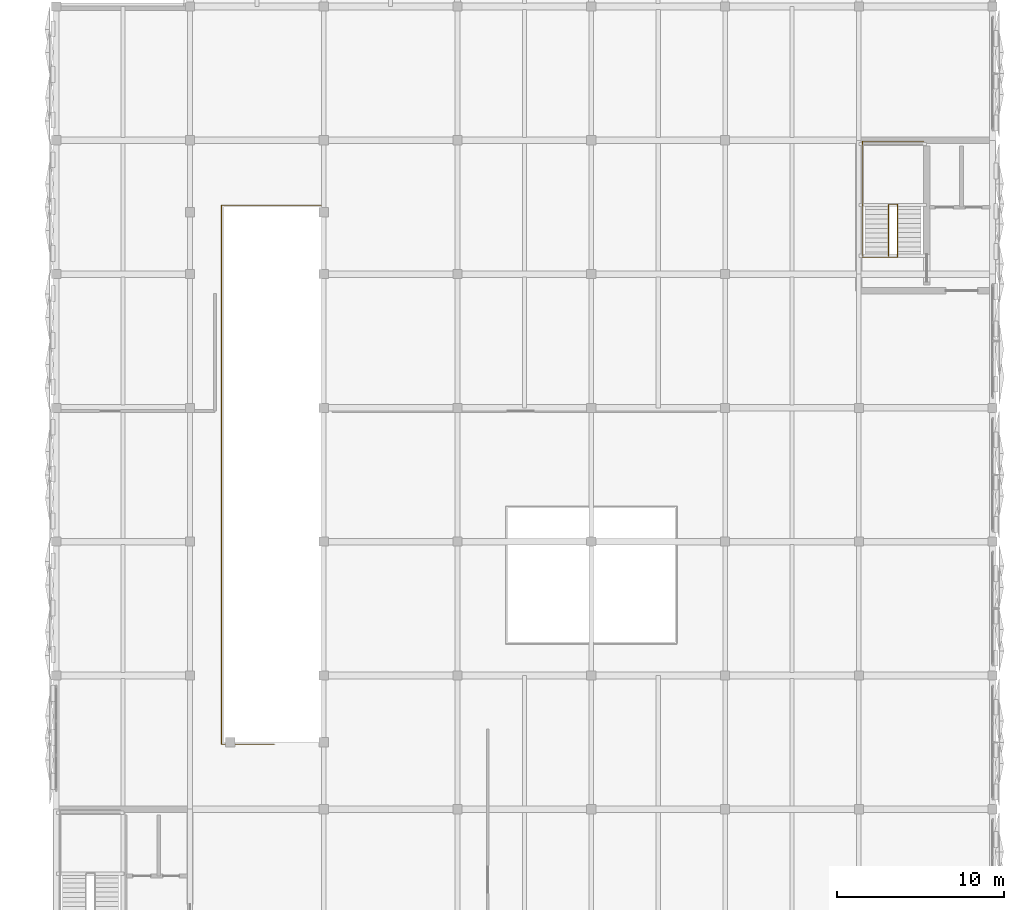
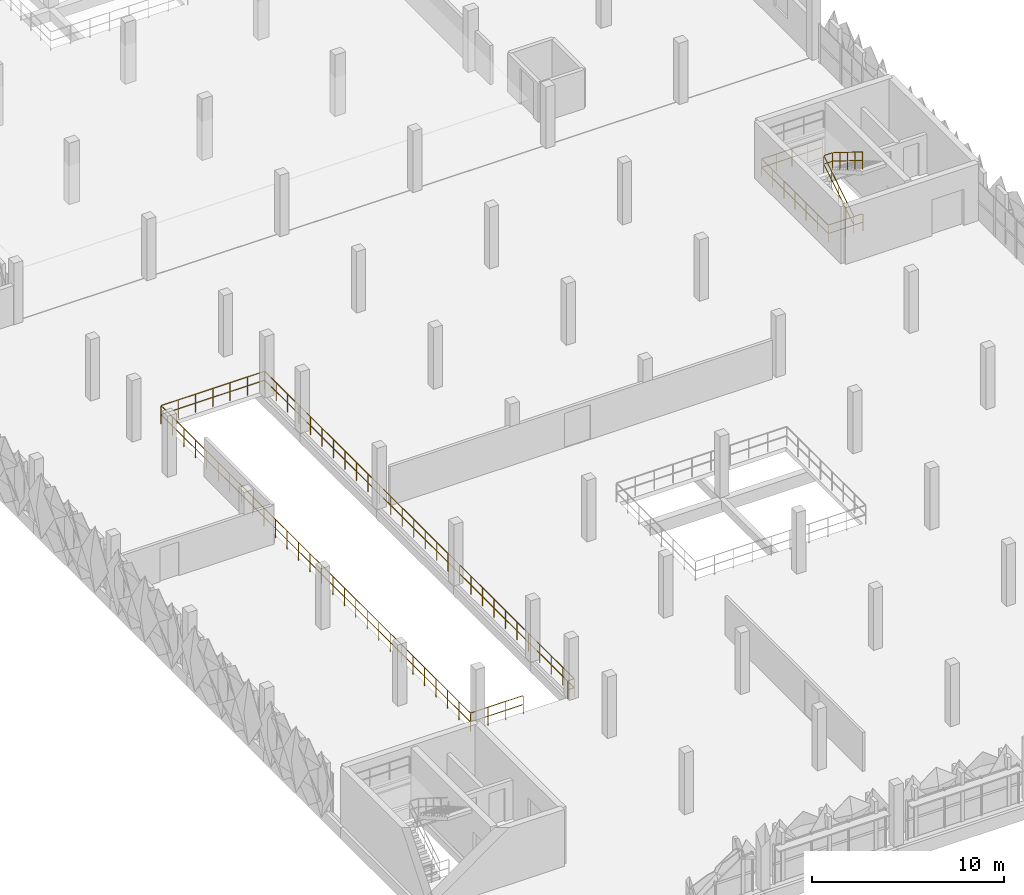
# One storey, part 78 of 83: 3 railings.
"""IFC4 building model written with IfcOpenShell, lengths in metres."""

from ifc_helpers import new_model, si_unit, derived_unit, direction, frame, origin, origin_2d, place, context, subcontext, project, spatial, circle, extrude, material, type_object, element, save


model = new_model("IFC4")

# Units and contexts
model_context = context("Model", 3, precision=1e-05, world=origin(), true_north=direction((0.0, 1.0)))
body_context = subcontext(model_context, "Body", "Model", "MODEL_VIEW")
ifc_project = project(units=[si_unit("LENGTHUNIT", "METRE"), si_unit("AREAUNIT", "SQUARE_METRE"), si_unit("VOLUMEUNIT", "CUBIC_METRE"), si_unit("PLANEANGLEUNIT", "RADIAN"), si_unit("MASSUNIT", "GRAM", prefix="KILO"), si_unit("THERMODYNAMICTEMPERATUREUNIT", "KELVIN"), derived_unit("THERMALTRANSMITTANCEUNIT", [(si_unit("POWERUNIT", "WATT"), 1), (si_unit("AREAUNIT", "SQUARE_METRE"), -1), (si_unit("THERMODYNAMICTEMPERATUREUNIT", "KELVIN"), -1)])], contexts=[model_context])

# Site, building, storey
site_placement = place(None, origin())
site = spatial("IfcSite", under=ifc_project, at=site_placement, CompositionType="ELEMENT")
building_placement = place(site_placement, origin())
building = spatial("IfcBuilding", under=site, at=building_placement, Name="Haiyu Intermodal Mobility Hub", CompositionType="ELEMENT")
storey_placement = place(building_placement, frame((0.0, 0.0, 13.39990234375)))
storey = spatial("IfcBuildingStorey", under=building, at=storey_placement, Name="L03", CompositionType="ELEMENT", Elevation=13.39990234375)

# Railings
ifc_material = material(Name="Steel Q355C", Category="steel")
railing_type = type_object("IfcRailingType", Name="RAL-GR03", PredefinedType="GUARDRAIL", material=ifc_material)
railing_1_placement = place(storey_placement, frame((167.06005859375, 35.8798828125, 0.0)))
element("IfcRailing", 1, at=railing_1_placement, inside=storey, type_object=railing_type, Name="RAL-BRMP-L03", PredefinedType="GUARDRAIL", context=body_context, shape_type="SweptSolid", body=[
    extrude(circle(Radius=0.02392578125, at=origin_2d()), frame((-0.030029296875, 0.0, 1.15576171875), z_axis=(-1.0, 0.0, 0.0), x_axis=(0.0, -1.0, 0.0)), (0.0, 0.0, 1.0), 3.1201171875),
    extrude(circle(Radius=0.02392578125, at=origin_2d()), frame((-0.037353515625, 0.0, 0.58984375), z_axis=(-1.0, 0.0, 0.0), x_axis=(0.0, -1.0, 0.0)), (0.0, 0.0, 1.0), 0.9853515625),
    extrude(circle(Radius=0.02392578125, at=origin_2d()), frame((-1.097412109375, 0.0, 0.58984375), z_axis=(-1.0, 0.0, 0.0), x_axis=(0.0, -1.0, 0.0)), (0.0, 0.0, 1.0), 0.9853515625),
    extrude(circle(Radius=0.02392578125, at=origin_2d()), frame((-2.157470703125, 0.0, 0.58984375), z_axis=(-1.0, 0.0, 0.0), x_axis=(0.0, -1.0, 0.0)), (0.0, 0.0, 1.0), 0.9853515625),
    extrude(circle(Radius=0.02392578125, at=origin_2d()), frame((-3.18017578125, 0.030029296875, 1.15576171875), z_axis=(0.0, 1.0, 0.0), x_axis=(-1.0, 0.0, 0.0)), (0.0, 0.0, 1.0), 32.18017578125),
    extrude(circle(Radius=0.02392578125, at=origin_2d()), frame((-3.18017578125, 0.037353515625, 0.58984375), z_axis=(0.0, 1.0, 0.0), x_axis=(-1.0, 0.0, 0.0)), (0.0, 0.0, 1.0), 1.119384765625),
    extrude(circle(Radius=0.02392578125, at=origin_2d()), frame((-3.18017578125, 1.2314453125, 0.58984375), z_axis=(0.0, 1.0, 0.0), x_axis=(-1.0, 0.0, 0.0)), (0.0, 0.0, 1.0), 1.119384765625),
    extrude(circle(Radius=0.02392578125, at=origin_2d()), frame((-3.18017578125, 2.425537109375, 0.58984375), z_axis=(0.0, 1.0, 0.0), x_axis=(-1.0, 0.0, 0.0)), (0.0, 0.0, 1.0), 1.119384765625),
    extrude(circle(Radius=0.02392578125, at=origin_2d()), frame((-3.18017578125, 3.61962890625, 0.58984375), z_axis=(0.0, 1.0, 0.0), x_axis=(-1.0, 0.0, 0.0)), (0.0, 0.0, 1.0), 1.119384765625),
    extrude(circle(Radius=0.02392578125, at=origin_2d()), frame((-3.18017578125, 4.813720703125, 0.58984375), z_axis=(0.0, 1.0, 0.0), x_axis=(-1.0, 0.0, 0.0)), (0.0, 0.0, 1.0), 1.119384765625),
    extrude(circle(Radius=0.02392578125, at=origin_2d()), frame((-3.18017578125, 6.0078125, 0.58984375), z_axis=(0.0, 1.0, 0.0), x_axis=(-1.0, 0.0, 0.0)), (0.0, 0.0, 1.0), 1.119384765625),
    extrude(circle(Radius=0.02392578125, at=origin_2d()), frame((-3.18017578125, 7.201904296875, 0.58984375), z_axis=(0.0, 1.0, 0.0), x_axis=(-1.0, 0.0, 0.0)), (0.0, 0.0, 1.0), 1.119384765625),
    extrude(circle(Radius=0.02392578125, at=origin_2d()), frame((-3.18017578125, 8.39599609375, 0.58984375), z_axis=(0.0, 1.0, 0.0), x_axis=(-1.0, 0.0, 0.0)), (0.0, 0.0, 1.0), 1.119384765625),
    extrude(circle(Radius=0.02392578125, at=origin_2d()), frame((-3.18017578125, 9.58984375, 0.58984375), z_axis=(0.0, 1.0, 0.0), x_axis=(-1.0, 0.0, 0.0)), (0.0, 0.0, 1.0), 1.119384765625),
    extrude(circle(Radius=0.02392578125, at=origin_2d()), frame((-3.18017578125, 10.783935546875, 0.58984375), z_axis=(0.0, 1.0, 0.0), x_axis=(-1.0, 0.0, 0.0)), (0.0, 0.0, 1.0), 1.119384765625),
    extrude(circle(Radius=0.02392578125, at=origin_2d()), frame((-3.18017578125, 11.97802734375, 0.58984375), z_axis=(0.0, 1.0, 0.0), x_axis=(-1.0, 0.0, 0.0)), (0.0, 0.0, 1.0), 1.119384765625),
    extrude(circle(Radius=0.02392578125, at=origin_2d()), frame((-3.18017578125, 13.172119140625, 0.58984375), z_axis=(0.0, 1.0, 0.0), x_axis=(-1.0, 0.0, 0.0)), (0.0, 0.0, 1.0), 1.119384765625),
    extrude(circle(Radius=0.02392578125, at=origin_2d()), frame((-3.18017578125, 14.3662109375, 0.58984375), z_axis=(0.0, 1.0, 0.0), x_axis=(-1.0, 0.0, 0.0)), (0.0, 0.0, 1.0), 1.119384765625),
    extrude(circle(Radius=0.02392578125, at=origin_2d()), frame((-3.18017578125, 15.560302734375, 0.58984375), z_axis=(0.0, 1.0, 0.0), x_axis=(-1.0, 0.0, 0.0)), (0.0, 0.0, 1.0), 1.119384765625),
    extrude(circle(Radius=0.02392578125, at=origin_2d()), frame((-3.18017578125, 16.75439453125, 0.58984375), z_axis=(0.0, 1.0, 0.0), x_axis=(-1.0, 0.0, 0.0)), (0.0, 0.0, 1.0), 1.119384765625),
    extrude(circle(Radius=0.02392578125, at=origin_2d()), frame((-3.18017578125, 17.948486328125, 0.58984375), z_axis=(0.0, 1.0, 0.0), x_axis=(-1.0, 0.0, 0.0)), (0.0, 0.0, 1.0), 1.119384765625),
    extrude(circle(Radius=0.02392578125, at=origin_2d()), frame((-3.18017578125, 19.142578125, 0.58984375), z_axis=(0.0, 1.0, 0.0), x_axis=(-1.0, 0.0, 0.0)), (0.0, 0.0, 1.0), 1.119384765625),
    extrude(circle(Radius=0.02392578125, at=origin_2d()), frame((-3.18017578125, 20.336669921875, 0.58984375), z_axis=(0.0, 1.0, 0.0), x_axis=(-1.0, 0.0, 0.0)), (0.0, 0.0, 1.0), 1.119384765625),
    extrude(circle(Radius=0.02392578125, at=origin_2d()), frame((-3.18017578125, 21.53076171875, 0.58984375), z_axis=(0.0, 1.0, 0.0), x_axis=(-1.0, 0.0, 0.0)), (0.0, 0.0, 1.0), 1.119384765625),
    extrude(circle(Radius=0.02392578125, at=origin_2d()), frame((-3.18017578125, 22.724853515625, 0.58984375), z_axis=(0.0, 1.0, 0.0), x_axis=(-1.0, 0.0, 0.0)), (0.0, 0.0, 1.0), 1.119384765625),
    extrude(circle(Radius=0.02392578125, at=origin_2d()), frame((-3.18017578125, 23.9189453125, 0.58984375), z_axis=(0.0, 1.0, 0.0), x_axis=(-1.0, 0.0, 0.0)), (0.0, 0.0, 1.0), 1.119384765625),
    extrude(circle(Radius=0.02392578125, at=origin_2d()), frame((-3.18017578125, 25.113037109375, 0.58984375), z_axis=(0.0, 1.0, 0.0), x_axis=(-1.0, 0.0, 0.0)), (0.0, 0.0, 1.0), 1.119384765625),
    extrude(circle(Radius=0.02392578125, at=origin_2d()), frame((-3.18017578125, 26.30712890625, 0.58984375), z_axis=(0.0, 1.0, 0.0), x_axis=(-1.0, 0.0, 0.0)), (0.0, 0.0, 1.0), 1.119384765625),
    extrude(circle(Radius=0.02392578125, at=origin_2d()), frame((-3.18017578125, 27.501220703125, 0.58984375), z_axis=(0.0, 1.0, 0.0), x_axis=(-1.0, 0.0, 0.0)), (0.0, 0.0, 1.0), 1.119384765625),
    extrude(circle(Radius=0.02392578125, at=origin_2d()), frame((-3.18017578125, 28.6953125, 0.58984375), z_axis=(0.0, 1.0, 0.0), x_axis=(-1.0, 0.0, 0.0)), (0.0, 0.0, 1.0), 1.119384765625),
    extrude(circle(Radius=0.02392578125, at=origin_2d()), frame((-3.18017578125, 29.889404296875, 0.58984375), z_axis=(0.0, 1.0, 0.0), x_axis=(-1.0, 0.0, 0.0)), (0.0, 0.0, 1.0), 1.119384765625),
    extrude(circle(Radius=0.02392578125, at=origin_2d()), frame((-3.18017578125, 31.08349609375, 0.58984375), z_axis=(0.0, 1.0, 0.0), x_axis=(-1.0, 0.0, 0.0)), (0.0, 0.0, 1.0), 1.119384765625),
    extrude(circle(Radius=0.02392578125, at=origin_2d()), frame((-3.150146484375, 32.240234375, 1.15576171875), z_axis=(1.0, 0.0, 0.0), x_axis=(0.0, 1.0, 0.0)), (0.0, 0.0, 1.0), 6.18017578125),
    extrude(circle(Radius=0.02392578125, at=origin_2d()), frame((-3.142822265625, 32.240234375, 0.58984375), z_axis=(1.0, 0.0, 0.0), x_axis=(0.0, 1.0, 0.0)), (0.0, 0.0, 1.0), 0.96533203125),
    extrude(circle(Radius=0.02392578125, at=origin_2d()), frame((-2.102783203125, 32.240234375, 0.58984375), z_axis=(1.0, 0.0, 0.0), x_axis=(0.0, 1.0, 0.0)), (0.0, 0.0, 1.0), 0.96533203125),
    extrude(circle(Radius=0.02392578125, at=origin_2d()), frame((-1.062744140625, 32.240234375, 0.58984375), z_axis=(1.0, 0.0, 0.0), x_axis=(0.0, 1.0, 0.0)), (0.0, 0.0, 1.0), 0.96533203125),
    extrude(circle(Radius=0.02392578125, at=origin_2d()), frame((-0.022705078125, 32.240234375, 0.58984375), z_axis=(1.0, 0.0, 0.0), x_axis=(0.0, 1.0, 0.0)), (0.0, 0.0, 1.0), 0.96533203125),
    extrude(circle(Radius=0.02392578125, at=origin_2d()), frame((1.017333984375, 32.240234375, 0.58984375), z_axis=(1.0, 0.0, 0.0), x_axis=(0.0, 1.0, 0.0)), (0.0, 0.0, 1.0), 0.96533203125),
    extrude(circle(Radius=0.02392578125, at=origin_2d()), frame((2.057373046875, 32.240234375, 0.58984375), z_axis=(1.0, 0.0, 0.0), x_axis=(0.0, 1.0, 0.0)), (0.0, 0.0, 1.0), 0.96533203125),
    extrude(circle(Radius=0.02392578125, at=origin_2d()), frame((3.06005859375, 32.210205078125, 1.15576171875), z_axis=(0.0, -1.0, 0.0), x_axis=(1.0, 0.0, 0.0)), (0.0, 0.0, 1.0), 32.18017578125),
    extrude(circle(Radius=0.02392578125, at=origin_2d()), frame((3.06005859375, 32.202880859375, 0.58984375), z_axis=(0.0, -1.0, 0.0), x_axis=(1.0, 0.0, 0.0)), (0.0, 0.0, 1.0), 1.119384765625),
    extrude(circle(Radius=0.02392578125, at=origin_2d()), frame((3.06005859375, 31.0087890625, 0.58984375), z_axis=(0.0, -1.0, 0.0), x_axis=(1.0, 0.0, 0.0)), (0.0, 0.0, 1.0), 1.119384765625),
    extrude(circle(Radius=0.02392578125, at=origin_2d()), frame((3.06005859375, 29.814697265625, 0.58984375), z_axis=(0.0, -1.0, 0.0), x_axis=(1.0, 0.0, 0.0)), (0.0, 0.0, 1.0), 1.119384765625),
    extrude(circle(Radius=0.02392578125, at=origin_2d()), frame((3.06005859375, 28.62060546875, 0.58984375), z_axis=(0.0, -1.0, 0.0), x_axis=(1.0, 0.0, 0.0)), (0.0, 0.0, 1.0), 1.119384765625),
    extrude(circle(Radius=0.02392578125, at=origin_2d()), frame((3.06005859375, 27.426513671875, 0.58984375), z_axis=(0.0, -1.0, 0.0), x_axis=(1.0, 0.0, 0.0)), (0.0, 0.0, 1.0), 1.119384765625),
    extrude(circle(Radius=0.02392578125, at=origin_2d()), frame((3.06005859375, 26.232421875, 0.58984375), z_axis=(0.0, -1.0, 0.0), x_axis=(1.0, 0.0, 0.0)), (0.0, 0.0, 1.0), 1.119384765625),
    extrude(circle(Radius=0.02392578125, at=origin_2d()), frame((3.06005859375, 25.038330078125, 0.58984375), z_axis=(0.0, -1.0, 0.0), x_axis=(1.0, 0.0, 0.0)), (0.0, 0.0, 1.0), 1.119384765625),
    extrude(circle(Radius=0.02392578125, at=origin_2d()), frame((3.06005859375, 23.84423828125, 0.58984375), z_axis=(0.0, -1.0, 0.0), x_axis=(1.0, 0.0, 0.0)), (0.0, 0.0, 1.0), 1.119384765625),
    extrude(circle(Radius=0.02392578125, at=origin_2d()), frame((3.06005859375, 22.650390625, 0.58984375), z_axis=(0.0, -1.0, 0.0), x_axis=(1.0, 0.0, 0.0)), (0.0, 0.0, 1.0), 1.119384765625),
    extrude(circle(Radius=0.02392578125, at=origin_2d()), frame((3.06005859375, 21.456298828125, 0.58984375), z_axis=(0.0, -1.0, 0.0), x_axis=(1.0, 0.0, 0.0)), (0.0, 0.0, 1.0), 1.119384765625),
    extrude(circle(Radius=0.02392578125, at=origin_2d()), frame((3.06005859375, 20.26220703125, 0.58984375), z_axis=(0.0, -1.0, 0.0), x_axis=(1.0, 0.0, 0.0)), (0.0, 0.0, 1.0), 1.119384765625),
    extrude(circle(Radius=0.02392578125, at=origin_2d()), frame((3.06005859375, 19.068115234375, 0.58984375), z_axis=(0.0, -1.0, 0.0), x_axis=(1.0, 0.0, 0.0)), (0.0, 0.0, 1.0), 1.119384765625),
    extrude(circle(Radius=0.02392578125, at=origin_2d()), frame((3.06005859375, 17.8740234375, 0.58984375), z_axis=(0.0, -1.0, 0.0), x_axis=(1.0, 0.0, 0.0)), (0.0, 0.0, 1.0), 1.119384765625),
    extrude(circle(Radius=0.02392578125, at=origin_2d()), frame((3.06005859375, 16.679931640625, 0.58984375), z_axis=(0.0, -1.0, 0.0), x_axis=(1.0, 0.0, 0.0)), (0.0, 0.0, 1.0), 1.119384765625),
    extrude(circle(Radius=0.02392578125, at=origin_2d()), frame((3.06005859375, 15.48583984375, 0.58984375), z_axis=(0.0, -1.0, 0.0), x_axis=(1.0, 0.0, 0.0)), (0.0, 0.0, 1.0), 1.119384765625),
    extrude(circle(Radius=0.02392578125, at=origin_2d()), frame((3.06005859375, 14.291748046875, 0.58984375), z_axis=(0.0, -1.0, 0.0), x_axis=(1.0, 0.0, 0.0)), (0.0, 0.0, 1.0), 1.119384765625),
    extrude(circle(Radius=0.02392578125, at=origin_2d()), frame((3.06005859375, 13.09765625, 0.58984375), z_axis=(0.0, -1.0, 0.0), x_axis=(1.0, 0.0, 0.0)), (0.0, 0.0, 1.0), 1.119384765625),
    extrude(circle(Radius=0.02392578125, at=origin_2d()), frame((3.06005859375, 11.903564453125, 0.58984375), z_axis=(0.0, -1.0, 0.0), x_axis=(1.0, 0.0, 0.0)), (0.0, 0.0, 1.0), 1.119384765625),
    extrude(circle(Radius=0.02392578125, at=origin_2d()), frame((3.06005859375, 10.70947265625, 0.58984375), z_axis=(0.0, -1.0, 0.0), x_axis=(1.0, 0.0, 0.0)), (0.0, 0.0, 1.0), 1.119384765625),
    extrude(circle(Radius=0.02392578125, at=origin_2d()), frame((3.06005859375, 9.515380859375, 0.58984375), z_axis=(0.0, -1.0, 0.0), x_axis=(1.0, 0.0, 0.0)), (0.0, 0.0, 1.0), 1.119384765625),
    extrude(circle(Radius=0.02392578125, at=origin_2d()), frame((3.06005859375, 8.3212890625, 0.58984375), z_axis=(0.0, -1.0, 0.0), x_axis=(1.0, 0.0, 0.0)), (0.0, 0.0, 1.0), 1.119384765625),
    extrude(circle(Radius=0.02392578125, at=origin_2d()), frame((3.06005859375, 7.127197265625, 0.58984375), z_axis=(0.0, -1.0, 0.0), x_axis=(1.0, 0.0, 0.0)), (0.0, 0.0, 1.0), 1.119384765625),
    extrude(circle(Radius=0.02392578125, at=origin_2d()), frame((3.06005859375, 5.93310546875, 0.58984375), z_axis=(0.0, -1.0, 0.0), x_axis=(1.0, 0.0, 0.0)), (0.0, 0.0, 1.0), 1.119384765625),
    extrude(circle(Radius=0.02392578125, at=origin_2d()), frame((3.06005859375, 4.739013671875, 0.58984375), z_axis=(0.0, -1.0, 0.0), x_axis=(1.0, 0.0, 0.0)), (0.0, 0.0, 1.0), 1.119384765625),
    extrude(circle(Radius=0.02392578125, at=origin_2d()), frame((3.06005859375, 3.544921875, 0.58984375), z_axis=(0.0, -1.0, 0.0), x_axis=(1.0, 0.0, 0.0)), (0.0, 0.0, 1.0), 1.119384765625),
    extrude(circle(Radius=0.02392578125, at=origin_2d()), frame((3.06005859375, 2.350830078125, 0.58984375), z_axis=(0.0, -1.0, 0.0), x_axis=(1.0, 0.0, 0.0)), (0.0, 0.0, 1.0), 1.119384765625),
    extrude(circle(Radius=0.02392578125, at=origin_2d()), frame((3.06005859375, 1.15673828125, 0.58984375), z_axis=(0.0, -1.0, 0.0), x_axis=(1.0, 0.0, 0.0)), (0.0, 0.0, 1.0), 1.119384765625),
    extrude(circle(Radius=0.02392578125, at=origin_2d()), frame((3.030029296875, 0.0, 1.15576171875), z_axis=(-1.0, 0.0, 0.0), x_axis=(0.0, -1.0, 0.0)), (0.0, 0.0, 1.0), 0.320068359375),
    extrude(circle(Radius=0.02392578125, at=origin_2d()), frame((3.022705078125, 0.0, 0.58984375), z_axis=(-1.0, 0.0, 0.0), x_axis=(0.0, -1.0, 0.0)), (0.0, 0.0, 1.0), 0.305419921875),
    extrude(circle(Radius=0.02099609375, at=origin_2d()), origin(), (0.0, 0.0, 1.0), 1.123779296875),
    extrude(circle(Radius=0.02099609375, at=origin_2d()), frame((-1.06005859375, 0.0, 0.0)), (0.0, 0.0, 1.0), 1.123779296875),
    extrude(circle(Radius=0.02099609375, at=origin_2d()), frame((-2.1201171875, 0.0, 0.0)), (0.0, 0.0, 1.0), 1.123779296875),
    extrude(circle(Radius=0.02099609375, at=origin_2d()), frame((-3.18017578125, 0.0, 0.0)), (0.0, 0.0, 1.0), 1.123779296875),
    extrude(circle(Radius=0.02099609375, at=origin_2d()), frame((-3.18017578125, 1.194091796875, 0.0)), (0.0, 0.0, 1.0), 1.123779296875),
    extrude(circle(Radius=0.02099609375, at=origin_2d()), frame((-3.18017578125, 2.38818359375, 0.0)), (0.0, 0.0, 1.0), 1.123779296875),
    extrude(circle(Radius=0.02099609375, at=origin_2d()), frame((-3.18017578125, 3.582275390625, 0.0)), (0.0, 0.0, 1.0), 1.123779296875),
    extrude(circle(Radius=0.02099609375, at=origin_2d()), frame((-3.18017578125, 4.7763671875, 0.0)), (0.0, 0.0, 1.0), 1.123779296875),
    extrude(circle(Radius=0.02099609375, at=origin_2d()), frame((-3.18017578125, 5.970458984375, 0.0)), (0.0, 0.0, 1.0), 1.123779296875),
    extrude(circle(Radius=0.02099609375, at=origin_2d()), frame((-3.18017578125, 7.16455078125, 0.0)), (0.0, 0.0, 1.0), 1.123779296875),
    extrude(circle(Radius=0.02099609375, at=origin_2d()), frame((-3.18017578125, 8.358642578125, 0.0)), (0.0, 0.0, 1.0), 1.123779296875),
    extrude(circle(Radius=0.02099609375, at=origin_2d()), frame((-3.18017578125, 9.552734375, 0.0)), (0.0, 0.0, 1.0), 1.123779296875),
    extrude(circle(Radius=0.02099609375, at=origin_2d()), frame((-3.18017578125, 10.746826171875, 0.0)), (0.0, 0.0, 1.0), 1.123779296875),
    extrude(circle(Radius=0.02099609375, at=origin_2d()), frame((-3.18017578125, 11.94091796875, 0.0)), (0.0, 0.0, 1.0), 1.123779296875),
    extrude(circle(Radius=0.02099609375, at=origin_2d()), frame((-3.18017578125, 13.135009765625, 0.0)), (0.0, 0.0, 1.0), 1.123779296875),
    extrude(circle(Radius=0.02099609375, at=origin_2d()), frame((-3.18017578125, 14.3291015625, 0.0)), (0.0, 0.0, 1.0), 1.123779296875),
    extrude(circle(Radius=0.02099609375, at=origin_2d()), frame((-3.18017578125, 15.523193359375, 0.0)), (0.0, 0.0, 1.0), 1.123779296875),
    extrude(circle(Radius=0.02099609375, at=origin_2d()), frame((-3.18017578125, 16.717041015625, 0.0)), (0.0, 0.0, 1.0), 1.123779296875),
    extrude(circle(Radius=0.02099609375, at=origin_2d()), frame((-3.18017578125, 17.9111328125, 0.0)), (0.0, 0.0, 1.0), 1.123779296875),
    extrude(circle(Radius=0.02099609375, at=origin_2d()), frame((-3.18017578125, 19.105224609375, 0.0)), (0.0, 0.0, 1.0), 1.123779296875),
    extrude(circle(Radius=0.02099609375, at=origin_2d()), frame((-3.18017578125, 20.29931640625, 0.0)), (0.0, 0.0, 1.0), 1.123779296875),
    extrude(circle(Radius=0.02099609375, at=origin_2d()), frame((-3.18017578125, 21.493408203125, 0.0)), (0.0, 0.0, 1.0), 1.123779296875),
    extrude(circle(Radius=0.02099609375, at=origin_2d()), frame((-3.18017578125, 22.6875, 0.0)), (0.0, 0.0, 1.0), 1.123779296875),
    extrude(circle(Radius=0.02099609375, at=origin_2d()), frame((-3.18017578125, 23.881591796875, 0.0)), (0.0, 0.0, 1.0), 1.123779296875),
    extrude(circle(Radius=0.02099609375, at=origin_2d()), frame((-3.18017578125, 25.07568359375, 0.0)), (0.0, 0.0, 1.0), 1.123779296875),
    extrude(circle(Radius=0.02099609375, at=origin_2d()), frame((-3.18017578125, 26.269775390625, 0.0)), (0.0, 0.0, 1.0), 1.123779296875),
    extrude(circle(Radius=0.02099609375, at=origin_2d()), frame((-3.18017578125, 27.4638671875, 0.0)), (0.0, 0.0, 1.0), 1.123779296875),
    extrude(circle(Radius=0.02099609375, at=origin_2d()), frame((-3.18017578125, 28.657958984375, 0.0)), (0.0, 0.0, 1.0), 1.123779296875),
    extrude(circle(Radius=0.02099609375, at=origin_2d()), frame((-3.18017578125, 29.85205078125, 0.0)), (0.0, 0.0, 1.0), 1.123779296875),
    extrude(circle(Radius=0.02099609375, at=origin_2d()), frame((-3.18017578125, 31.046142578125, 0.0)), (0.0, 0.0, 1.0), 1.123779296875),
    extrude(circle(Radius=0.02099609375, at=origin_2d()), frame((-3.18017578125, 32.240234375, 0.0)), (0.0, 0.0, 1.0), 1.123779296875),
    extrude(circle(Radius=0.02099609375, at=origin_2d()), frame((-2.14013671875, 32.240234375, 0.0)), (0.0, 0.0, 1.0), 1.123779296875),
    extrude(circle(Radius=0.02099609375, at=origin_2d()), frame((-1.10009765625, 32.240234375, 0.0)), (0.0, 0.0, 1.0), 1.123779296875),
    extrude(circle(Radius=0.02099609375, at=origin_2d()), frame((-0.06005859375, 32.240234375, 0.0)), (0.0, 0.0, 1.0), 1.123779296875),
    extrude(circle(Radius=0.02099609375, at=origin_2d()), frame((0.97998046875, 32.240234375, 0.0)), (0.0, 0.0, 1.0), 1.123779296875),
    extrude(circle(Radius=0.02099609375, at=origin_2d()), frame((2.02001953125, 32.240234375, 0.0)), (0.0, 0.0, 1.0), 1.123779296875),
    extrude(circle(Radius=0.02099609375, at=origin_2d()), frame((3.06005859375, 32.240234375, 0.0)), (0.0, 0.0, 1.0), 1.123779296875),
    extrude(circle(Radius=0.02099609375, at=origin_2d()), frame((3.06005859375, 31.046142578125, 0.0)), (0.0, 0.0, 1.0), 1.123779296875),
    extrude(circle(Radius=0.02099609375, at=origin_2d()), frame((3.06005859375, 29.85205078125, 0.0)), (0.0, 0.0, 1.0), 1.123779296875),
    extrude(circle(Radius=0.02099609375, at=origin_2d()), frame((3.06005859375, 28.657958984375, 0.0)), (0.0, 0.0, 1.0), 1.123779296875),
    extrude(circle(Radius=0.02099609375, at=origin_2d()), frame((3.06005859375, 27.4638671875, 0.0)), (0.0, 0.0, 1.0), 1.123779296875),
    extrude(circle(Radius=0.02099609375, at=origin_2d()), frame((3.06005859375, 26.269775390625, 0.0)), (0.0, 0.0, 1.0), 1.123779296875),
    extrude(circle(Radius=0.02099609375, at=origin_2d()), frame((3.06005859375, 25.07568359375, 0.0)), (0.0, 0.0, 1.0), 1.123779296875),
    extrude(circle(Radius=0.02099609375, at=origin_2d()), frame((3.06005859375, 23.881591796875, 0.0)), (0.0, 0.0, 1.0), 1.123779296875),
    extrude(circle(Radius=0.02099609375, at=origin_2d()), frame((3.06005859375, 22.6875, 0.0)), (0.0, 0.0, 1.0), 1.123779296875),
    extrude(circle(Radius=0.02099609375, at=origin_2d()), frame((3.06005859375, 21.493408203125, 0.0)), (0.0, 0.0, 1.0), 1.123779296875),
    extrude(circle(Radius=0.02099609375, at=origin_2d()), frame((3.06005859375, 20.29931640625, 0.0)), (0.0, 0.0, 1.0), 1.123779296875),
    extrude(circle(Radius=0.02099609375, at=origin_2d()), frame((3.06005859375, 19.105224609375, 0.0)), (0.0, 0.0, 1.0), 1.123779296875),
    extrude(circle(Radius=0.02099609375, at=origin_2d()), frame((3.06005859375, 17.9111328125, 0.0)), (0.0, 0.0, 1.0), 1.123779296875),
    extrude(circle(Radius=0.02099609375, at=origin_2d()), frame((3.06005859375, 16.717041015625, 0.0)), (0.0, 0.0, 1.0), 1.123779296875),
    extrude(circle(Radius=0.02099609375, at=origin_2d()), frame((3.06005859375, 15.523193359375, 0.0)), (0.0, 0.0, 1.0), 1.123779296875),
    extrude(circle(Radius=0.02099609375, at=origin_2d()), frame((3.06005859375, 14.3291015625, 0.0)), (0.0, 0.0, 1.0), 1.123779296875),
    extrude(circle(Radius=0.02099609375, at=origin_2d()), frame((3.06005859375, 13.135009765625, 0.0)), (0.0, 0.0, 1.0), 1.123779296875),
    extrude(circle(Radius=0.02099609375, at=origin_2d()), frame((3.06005859375, 11.94091796875, 0.0)), (0.0, 0.0, 1.0), 1.123779296875),
    extrude(circle(Radius=0.02099609375, at=origin_2d()), frame((3.06005859375, 10.746826171875, 0.0)), (0.0, 0.0, 1.0), 1.123779296875),
    extrude(circle(Radius=0.02099609375, at=origin_2d()), frame((3.06005859375, 9.552734375, 0.0)), (0.0, 0.0, 1.0), 1.123779296875),
    extrude(circle(Radius=0.02099609375, at=origin_2d()), frame((3.06005859375, 8.358642578125, 0.0)), (0.0, 0.0, 1.0), 1.123779296875),
    extrude(circle(Radius=0.02099609375, at=origin_2d()), frame((3.06005859375, 7.16455078125, 0.0)), (0.0, 0.0, 1.0), 1.123779296875),
    extrude(circle(Radius=0.02099609375, at=origin_2d()), frame((3.06005859375, 5.970458984375, 0.0)), (0.0, 0.0, 1.0), 1.123779296875),
    extrude(circle(Radius=0.02099609375, at=origin_2d()), frame((3.06005859375, 4.7763671875, 0.0)), (0.0, 0.0, 1.0), 1.123779296875),
    extrude(circle(Radius=0.02099609375, at=origin_2d()), frame((3.06005859375, 3.582275390625, 0.0)), (0.0, 0.0, 1.0), 1.123779296875),
    extrude(circle(Radius=0.02099609375, at=origin_2d()), frame((3.06005859375, 2.38818359375, 0.0)), (0.0, 0.0, 1.0), 1.123779296875),
    extrude(circle(Radius=0.02099609375, at=origin_2d()), frame((3.06005859375, 1.194091796875, 0.0)), (0.0, 0.0, 1.0), 1.123779296875),
    extrude(circle(Radius=0.02099609375, at=origin_2d()), frame((3.06005859375, 0.0, 0.0)), (0.0, 0.0, 1.0), 1.123779296875),
    extrude(circle(Radius=0.02099609375, at=origin_2d()), frame((2.679931640625, 0.0, 0.0)), (0.0, 0.0, 1.0), 1.123779296875),
])
railing_2_placement = place(storey_placement, frame((204.31005859375, 65.010009765625, 0.0)))
element("IfcRailing", 2, at=railing_2_placement, inside=storey, type_object=railing_type, Name="Stair Shaft Floor Guard STR-C9-L02", PredefinedType="GUARDRAIL", context=body_context, shape_type="SweptSolid", body=[
    extrude(circle(Radius=0.02392578125, at=origin_2d()), frame((-0.030029296875, 0.0, 1.09619140625), z_axis=(-1.0, 0.0, 0.0), x_axis=(0.0, -1.0, 0.0)), (0.0, 0.0, 1.0), 2.030029296875),
    extrude(circle(Radius=0.02392578125, at=origin_2d()), frame((-0.037353515625, 0.0, 0.56005859375), z_axis=(-1.0, 0.0, 0.0), x_axis=(0.0, -1.0, 0.0)), (0.0, 0.0, 1.0), 0.970458984375),
    extrude(circle(Radius=0.02392578125, at=origin_2d()), frame((-1.082275390625, 0.0, 0.56005859375), z_axis=(-1.0, 0.0, 0.0), x_axis=(0.0, -1.0, 0.0)), (0.0, 0.0, 1.0), 0.970458984375),
    extrude(circle(Radius=0.02392578125, at=origin_2d()), frame((-2.090087890625, 0.030029296875, 1.09619140625), z_axis=(0.0, 1.0, 0.0), x_axis=(-1.0, 0.0, 0.0)), (0.0, 0.0, 1.0), 6.8798828125),
    extrude(circle(Radius=0.02392578125, at=origin_2d()), frame((-2.090087890625, 0.037353515625, 0.56005859375), z_axis=(0.0, 1.0, 0.0), x_axis=(-1.0, 0.0, 0.0)), (0.0, 0.0, 1.0), 1.08203125),
    extrude(circle(Radius=0.02392578125, at=origin_2d()), frame((-2.090087890625, 1.19384765625, 0.56005859375), z_axis=(0.0, 1.0, 0.0), x_axis=(-1.0, 0.0, 0.0)), (0.0, 0.0, 1.0), 1.08203125),
    extrude(circle(Radius=0.02392578125, at=origin_2d()), frame((-2.090087890625, 2.3505859375, 0.56005859375), z_axis=(0.0, 1.0, 0.0), x_axis=(-1.0, 0.0, 0.0)), (0.0, 0.0, 1.0), 1.08203125),
    extrude(circle(Radius=0.02392578125, at=origin_2d()), frame((-2.090087890625, 3.50732421875, 0.56005859375), z_axis=(0.0, 1.0, 0.0), x_axis=(-1.0, 0.0, 0.0)), (0.0, 0.0, 1.0), 1.08203125),
    extrude(circle(Radius=0.02392578125, at=origin_2d()), frame((-2.090087890625, 4.663818359375, 0.56005859375), z_axis=(0.0, 1.0, 0.0), x_axis=(-1.0, 0.0, 0.0)), (0.0, 0.0, 1.0), 1.08203125),
    extrude(circle(Radius=0.02392578125, at=origin_2d()), frame((-2.090087890625, 5.820556640625, 0.56005859375), z_axis=(0.0, 1.0, 0.0), x_axis=(-1.0, 0.0, 0.0)), (0.0, 0.0, 1.0), 1.08203125),
    extrude(circle(Radius=0.02392578125, at=origin_2d()), frame((-2.06005859375, 6.93994140625, 1.09619140625), z_axis=(1.0, 0.0, 0.0), x_axis=(0.0, 1.0, 0.0)), (0.0, 0.0, 1.0), 3.590087890625),
    extrude(circle(Radius=0.02392578125, at=origin_2d()), frame((-2.052734375, 6.93994140625, 0.56005859375), z_axis=(1.0, 0.0, 0.0), x_axis=(0.0, 1.0, 0.0)), (0.0, 0.0, 1.0), 0.837890625),
    extrude(circle(Radius=0.02392578125, at=origin_2d()), frame((-1.14013671875, 6.93994140625, 0.56005859375), z_axis=(1.0, 0.0, 0.0), x_axis=(0.0, 1.0, 0.0)), (0.0, 0.0, 1.0), 0.837890625),
    extrude(circle(Radius=0.02392578125, at=origin_2d()), frame((-0.227783203125, 6.93994140625, 0.56005859375), z_axis=(1.0, 0.0, 0.0), x_axis=(0.0, 1.0, 0.0)), (0.0, 0.0, 1.0), 0.837890625),
    extrude(circle(Radius=0.02392578125, at=origin_2d()), frame((0.684814453125, 6.93994140625, 0.56005859375), z_axis=(1.0, 0.0, 0.0), x_axis=(0.0, 1.0, 0.0)), (0.0, 0.0, 1.0), 0.837890625),
    extrude(circle(Radius=0.02099609375, at=origin_2d()), origin(), (0.0, 0.0, 1.0), 1.06396484375),
    extrude(circle(Radius=0.02099609375, at=origin_2d()), frame((-1.044921875, 0.0, 0.0)), (0.0, 0.0, 1.0), 1.06396484375),
    extrude(circle(Radius=0.02099609375, at=origin_2d()), frame((-2.090087890625, 0.0, 0.0)), (0.0, 0.0, 1.0), 1.06396484375),
    extrude(circle(Radius=0.02099609375, at=origin_2d()), frame((-2.090087890625, 1.15673828125, 0.0)), (0.0, 0.0, 1.0), 1.06396484375),
    extrude(circle(Radius=0.02099609375, at=origin_2d()), frame((-2.090087890625, 2.313232421875, 0.0)), (0.0, 0.0, 1.0), 1.06396484375),
    extrude(circle(Radius=0.02099609375, at=origin_2d()), frame((-2.090087890625, 3.469970703125, 0.0)), (0.0, 0.0, 1.0), 1.06396484375),
    extrude(circle(Radius=0.02099609375, at=origin_2d()), frame((-2.090087890625, 4.626708984375, 0.0)), (0.0, 0.0, 1.0), 1.06396484375),
    extrude(circle(Radius=0.02099609375, at=origin_2d()), frame((-2.090087890625, 5.783203125, 0.0)), (0.0, 0.0, 1.0), 1.06396484375),
    extrude(circle(Radius=0.02099609375, at=origin_2d()), frame((-2.090087890625, 6.93994140625, 0.0)), (0.0, 0.0, 1.0), 1.06396484375),
    extrude(circle(Radius=0.02099609375, at=origin_2d()), frame((-1.177490234375, 6.93994140625, 0.0)), (0.0, 0.0, 1.0), 1.06396484375),
    extrude(circle(Radius=0.02099609375, at=origin_2d()), frame((-0.26513671875, 6.93994140625, 0.0)), (0.0, 0.0, 1.0), 1.06396484375),
    extrude(circle(Radius=0.02099609375, at=origin_2d()), frame((0.6474609375, 6.93994140625, 0.0)), (0.0, 0.0, 1.0), 1.06396484375),
    extrude(circle(Radius=0.02099609375, at=origin_2d()), frame((1.56005859375, 6.93994140625, 0.0)), (0.0, 0.0, 1.0), 1.06396484375),
])
railing_3_placement = place(storey_placement, frame((203.780029296875, 65.050048828125, 0.0)))
element("IfcRailing", 3, at=railing_3_placement, inside=storey, type_object=railing_type, Name="Stair Well Guard STR-C9-L03", PredefinedType="GUARDRAIL", context=body_context, shape_type="SweptSolid", body=[
    extrude(circle(Radius=0.02392578125, at=origin_2d()), frame((0.0, 0.025390625, 1.11181640625), z_axis=(0.0, 0.84872648218, 0.528832070176), x_axis=(-1.0, 0.0, 0.0)), (0.0, 0.0, 1.0), 3.627685546875),
    extrude(circle(Radius=0.02392578125, at=origin_2d()), frame((0.0, 0.03173828125, 0.579833984375), z_axis=(0.0, 0.84872648218, 0.528832070176), x_axis=(-1.0, 0.0, 0.0)), (0.0, 0.0, 1.0), 0.847412109375),
    extrude(circle(Radius=0.02392578125, at=origin_2d()), frame((0.0, 0.814208984375, 1.0673828125), z_axis=(0.0, 0.84872648218, 0.528832070176), x_axis=(-1.0, 0.0, 0.0)), (0.0, 0.0, 1.0), 0.847412109375),
    extrude(circle(Radius=0.02392578125, at=origin_2d()), frame((0.0, 1.5966796875, 1.554931640625), z_axis=(0.0, 0.84872648218, 0.528832070176), x_axis=(-1.0, 0.0, 0.0)), (0.0, 0.0, 1.0), 0.847412109375),
    extrude(circle(Radius=0.02392578125, at=origin_2d()), frame((0.0, 2.379150390625, 2.04248046875), z_axis=(0.0, 0.84872648218, 0.528832070176), x_axis=(-1.0, 0.0, 0.0)), (0.0, 0.0, 1.0), 0.847412109375),
    extrude(circle(Radius=0.02392578125, at=origin_2d()), frame((0.030029296875, 3.1298828125, 3.04638671875), z_axis=(1.0, 0.0, 0.0), x_axis=(0.0, 1.0, 0.0)), (0.0, 0.0, 1.0), 0.469970703125),
    extrude(circle(Radius=0.02392578125, at=origin_2d()), frame((0.037353515625, 3.1298828125, 2.51025390625), z_axis=(1.0, 0.0, 0.0), x_axis=(0.0, 1.0, 0.0)), (0.0, 0.0, 1.0), 0.455322265625),
    extrude(circle(Radius=0.02392578125, at=origin_2d()), frame((0.530029296875, 3.1044921875, 3.06201171875), z_axis=(0.0, -0.848756196164, 0.528784378999), x_axis=(1.0, 0.0, 0.0)), (0.0, 0.0, 1.0), 3.627685546875),
    extrude(circle(Radius=0.02392578125, at=origin_2d()), frame((0.530029296875, 3.09814453125, 2.530029296875), z_axis=(0.0, -0.848756196164, 0.528784378999), x_axis=(1.0, 0.0, 0.0)), (0.0, 0.0, 1.0), 0.847412109375),
    extrude(circle(Radius=0.02392578125, at=origin_2d()), frame((0.530029296875, 2.315673828125, 3.017578125), z_axis=(0.0, -0.848756196164, 0.528784378999), x_axis=(1.0, 0.0, 0.0)), (0.0, 0.0, 1.0), 0.847412109375),
    extrude(circle(Radius=0.02392578125, at=origin_2d()), frame((0.530029296875, 1.533203125, 3.5048828125), z_axis=(0.0, -0.848756196164, 0.528784378999), x_axis=(1.0, 0.0, 0.0)), (0.0, 0.0, 1.0), 0.847412109375),
    extrude(circle(Radius=0.02392578125, at=origin_2d()), frame((0.530029296875, 0.750732421875, 3.992431640625), z_axis=(0.0, -0.848756196164, 0.528784378999), x_axis=(1.0, 0.0, 0.0)), (0.0, 0.0, 1.0), 0.847412109375),
    extrude(circle(Radius=0.02099609375, at=origin_2d()), origin(), (0.0, 0.0, 1.0), 1.06396484375),
    extrude(circle(Radius=0.02099609375, at=origin_2d()), frame((0.0, 0.782470703125, 0.487548828125)), (0.0, 0.0, 1.0), 1.06396484375),
    extrude(circle(Radius=0.02099609375, at=origin_2d()), frame((0.0, 1.56494140625, 0.97509765625)), (0.0, 0.0, 1.0), 1.06396484375),
    extrude(circle(Radius=0.02099609375, at=origin_2d()), frame((0.0, 2.347412109375, 1.462646484375)), (0.0, 0.0, 1.0), 1.06396484375),
    extrude(circle(Radius=0.02099609375, at=origin_2d()), frame((0.0, 3.1298828125, 1.9501953125)), (0.0, 0.0, 1.0), 1.06396484375),
    extrude(circle(Radius=0.02099609375, at=origin_2d()), frame((0.530029296875, 3.1298828125, 1.9501953125)), (0.0, 0.0, 1.0), 1.06396484375),
    extrude(circle(Radius=0.02099609375, at=origin_2d()), frame((0.530029296875, 2.347412109375, 2.437744140625)), (0.0, 0.0, 1.0), 1.06396484375),
    extrude(circle(Radius=0.02099609375, at=origin_2d()), frame((0.530029296875, 1.56494140625, 2.92529296875)), (0.0, 0.0, 1.0), 1.06396484375),
    extrude(circle(Radius=0.02099609375, at=origin_2d()), frame((0.530029296875, 0.782470703125, 3.41259765625)), (0.0, 0.0, 1.0), 1.06396484375),
    extrude(circle(Radius=0.02099609375, at=origin_2d()), frame((0.530029296875, 0.0, 3.900146484375)), (0.0, 0.0, 1.0), 1.06396484375),
])

save(model, "model.ifc")
